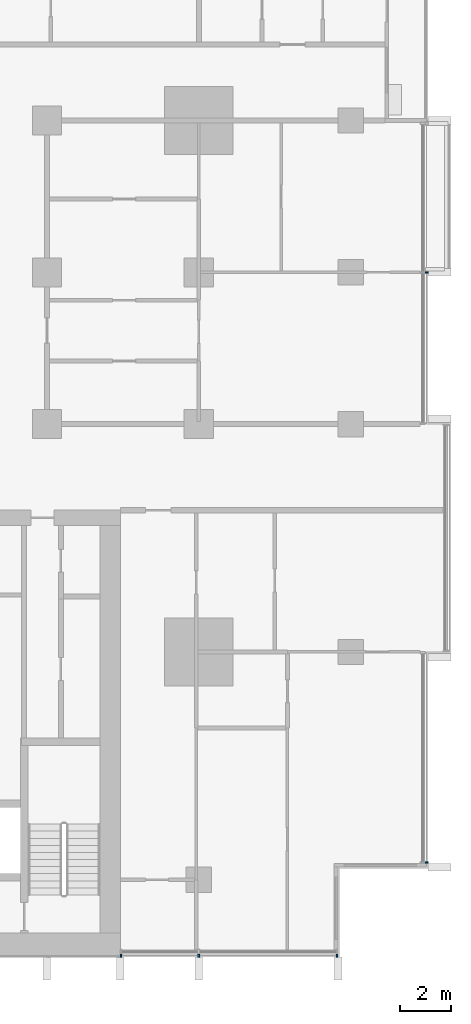
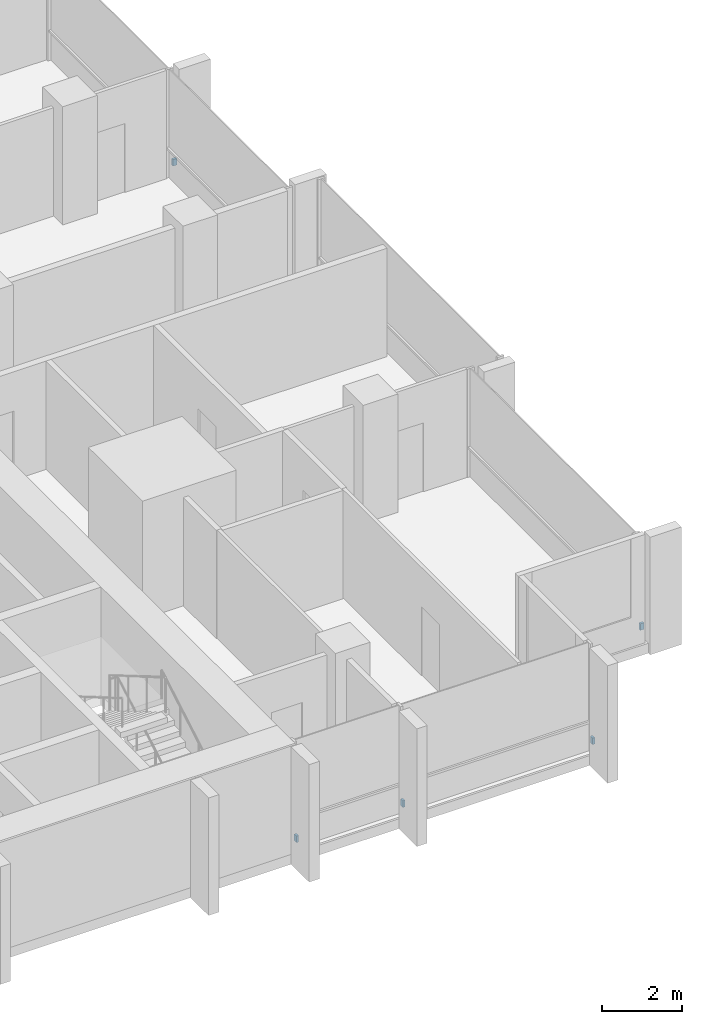
# One storey, part 15 of 19: 5 discrete accessories.
"""IFC4 building model written with IfcOpenShell, lengths in metres."""

from ifc_helpers import new_model, si_unit, direction, frame, origin, origin_2d, place, context, subcontext, project, spatial, rectangle, extrude, material, type_object, element, save


model = new_model("IFC4")

# Units and contexts
model_context = context("Model", 3, precision=1e-05, world=origin(), true_north=direction((0.0, 1.0)))
body_context = subcontext(model_context, "Body", "Model", "MODEL_VIEW")
ifc_project = project(units=[si_unit("LENGTHUNIT", "METRE"), si_unit("AREAUNIT", "SQUARE_METRE"), si_unit("VOLUMEUNIT", "CUBIC_METRE"), si_unit("PLANEANGLEUNIT", "RADIAN"), si_unit("MASSUNIT", "GRAM", prefix="KILO")], contexts=[model_context])

# Site, building, storey
site_placement = place(None, origin())
site = spatial("IfcSite", under=ifc_project, at=site_placement, CompositionType="ELEMENT")
building_placement = place(site_placement, origin())
building = spatial("IfcBuilding", under=site, at=building_placement, Name="Finial Court Residences", CompositionType="ELEMENT")
storey_placement = place(building_placement, frame((0.0, 0.0, 88.300048828125)))
storey = spatial("IfcBuildingStorey", under=building, at=storey_placement, Name="L21", CompositionType="ELEMENT", Elevation=88.300048828125)

# Discrete accessories
ifc_material = material(Name="Stainless steel 316", Category="steel")
discrete_accessory_type = type_object("IfcDiscreteAccessoryType", Name="Fin bracket, stainless steel 65 x 110 x 200", PredefinedType="BRACKET", material=ifc_material)
for number, where, z_axis, x_axis, name in (
    (1, (25.5048828125, -21.8173828125, 0.2998046875), (0.0, 0.0, 1.0), (1.0, 0.0, 0.0), "E-L21-FIN-E9-BRK"),
    (2, (25.5048828125, 1.5, 0.2998046875), (0.0, 0.0, 1.0), (1.0, 0.0, 0.0), "E-L21-FIN-E12-BRK"),
):
    element("IfcDiscreteAccessory", number, at=place(storey_placement, frame(where, z_axis=z_axis, x_axis=x_axis)), inside=storey, type_object=discrete_accessory_type, Name=name, PredefinedType="BRACKET", context=body_context, shape_type="SweptSolid", body=[
        extrude(rectangle(XDim=0.110107421875, YDim=0.06494140625, at=origin_2d()), origin(), (0.0, 0.0, 1.0), 0.199951171875),
    ])
for number, where, z_axis, x_axis, name in (
    (3, (13.4326171875, -25.5048828125, 0.2998046875), (0.0, 0.0, 1.0), (1.0, 0.0, 0.0), "E-L21-FIN-S23-BRK"),
    (4, (16.5, -25.5048828125, 0.2998046875), (0.0, 0.0, 1.0), (1.0, 0.0, 0.0), "E-L21-FIN-S24-BRK"),
    (5, (21.967529296875, -25.5048828125, 0.2998046875), (0.0, 0.0, 1.0), (1.0, 0.0, 0.0), "E-L21-FIN-S25-BRK"),
):
    element("IfcDiscreteAccessory", number, at=place(storey_placement, frame(where, z_axis=z_axis, x_axis=x_axis)), inside=storey, type_object=discrete_accessory_type, Name=name, PredefinedType="BRACKET", context=body_context, shape_type="SweptSolid", body=[
        extrude(rectangle(XDim=0.06494140625, YDim=0.110107421875, at=origin_2d()), origin(), (0.0, 0.0, 1.0), 0.199951171875),
    ])

save(model, "model.ifc")
